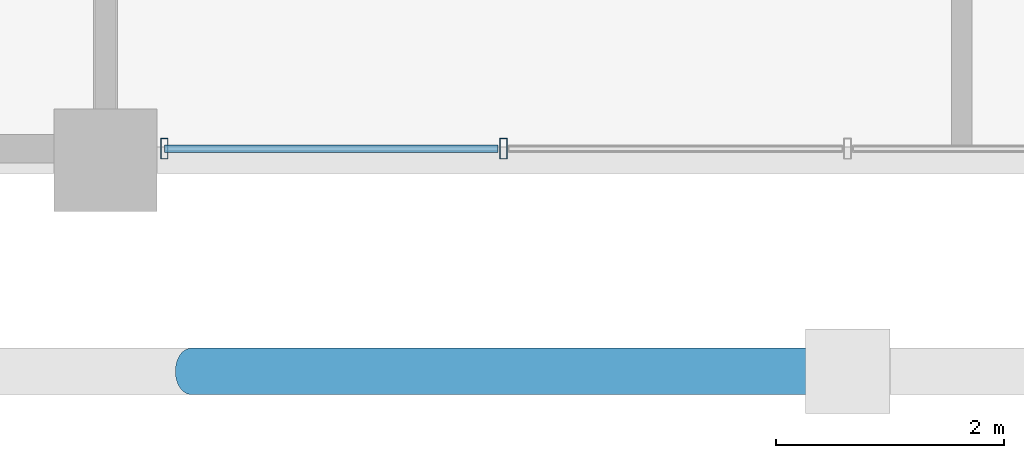
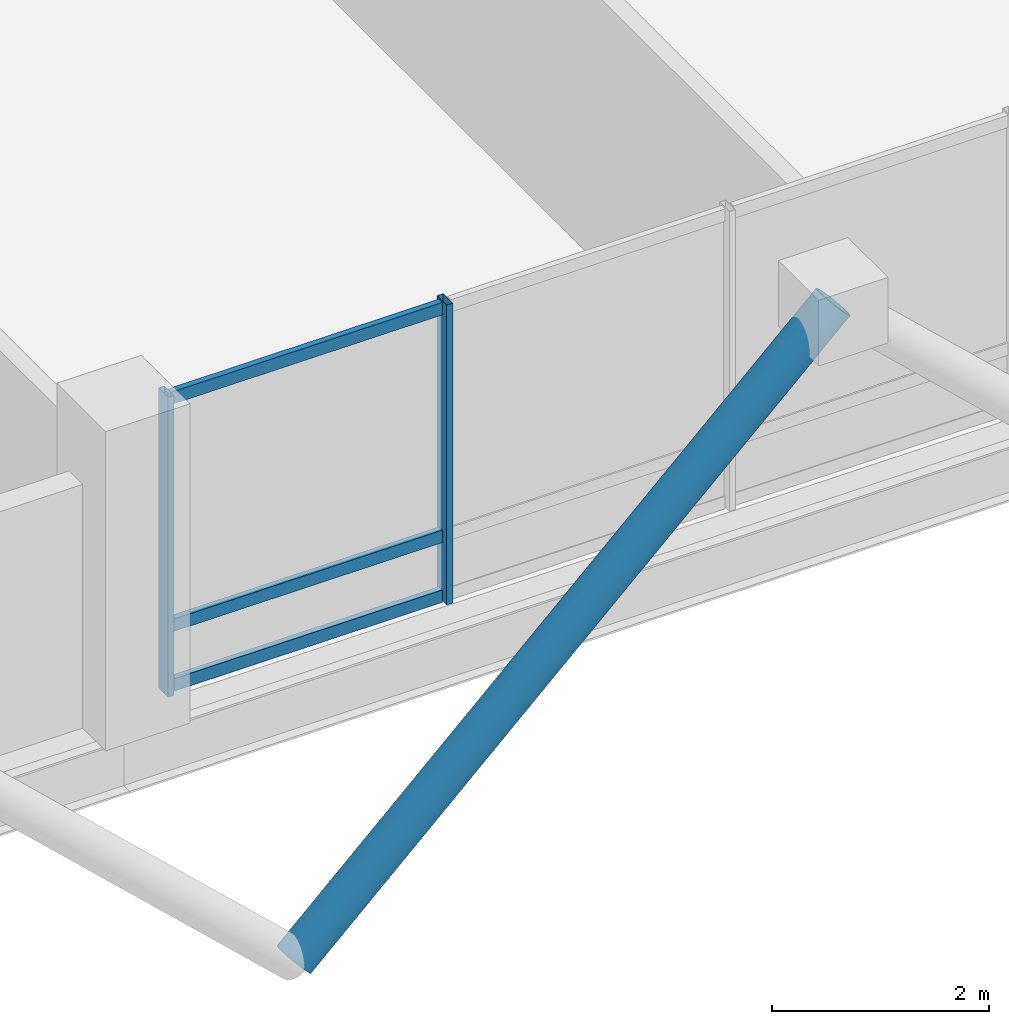
# One storey, part 2 of 22: 6 members, 1 element without a shape of its own.
"""IFC4 building model written with IfcOpenShell, lengths in metres."""

from ifc_helpers import new_model, si_unit, direction, frame, origin, origin_2d, place, context, subcontext, project, spatial, hollow_rectangle, hollow_circle, extrude, material, layer, layer_set, material_profile, profile_set, type_object, element, aggregate, save


model = new_model("IFC4")

# Units and contexts
model_context = context("Model", 3, precision=1e-05, world=origin(), true_north=direction((0.0, 1.0)))
body_context = subcontext(model_context, "Body", "Model", "MODEL_VIEW")
ifc_project = project(units=[si_unit("LENGTHUNIT", "METRE"), si_unit("AREAUNIT", "SQUARE_METRE"), si_unit("VOLUMEUNIT", "CUBIC_METRE"), si_unit("PLANEANGLEUNIT", "RADIAN"), si_unit("MASSUNIT", "GRAM", prefix="KILO")], contexts=[model_context])

# Site, building, storey
site_placement = place(None, origin())
site = spatial("IfcSite", under=ifc_project, at=site_placement, CompositionType="ELEMENT")
building_placement = place(site_placement, origin())
building = spatial("IfcBuilding", under=site, at=building_placement, Name="Barlavira Tower and Art Museum", CompositionType="ELEMENT")
storey_placement = place(building_placement, frame((0.0, 0.0, 269.10009765625)))
storey = spatial("IfcBuildingStorey", under=building, at=storey_placement, Name="L70", CompositionType="ELEMENT", Elevation=269.10009765625)

# Curtain wall, members
ifc_material_1 = material(Name="Low-iron coastal laminated glass", Category="glass")
ifc_layer = layer(ifc_material_1, 0.2099609375, Name="Low-iron coastal laminated glass")
ifc_layer_set = layer_set([ifc_layer], Name="Low-iron coastal laminated glass")
curtain_wall_type = type_object("IfcCurtainWallType", Name="Pale-Metal Unitised Curtain Wall Zone 4", PredefinedType="NOTDEFINED", material=ifc_layer_set)
curtain_wall_placement = place(storey_placement, origin())
curtain_wall = element("IfcCurtainWall", 1, at=curtain_wall_placement, inside=storey, type_object=curtain_wall_type, Name="L70 Curtain Wall CW4-L70-S-B2", PredefinedType="NOTDEFINED")
ifc_material_2 = material(Name="Pale anodised aluminium", Category="aluminium")
ifc_material_profile_1 = material_profile(ifc_material_2, hollow_rectangle(XDim=0.06494140625, YDim=0.179931640625, WallThickness=0.00390625, at=origin_2d()), Name="ALU-MULL 65x180x4")
ifc_profile_set_1 = profile_set([ifc_material_profile_1], Name="Pale anodised aluminium")
member_type_1 = type_object("IfcMemberType", Name="Curtain Wall Pale-Metal Mullion 65x180", PredefinedType="MULLION", material=ifc_profile_set_1)
member_1_placement = place(storey_placement, frame((-5.985107421875, -19.89990234375, 0.0), z_axis=(0.0, 0.0, 1.0), x_axis=(1.0, 0.0, 0.0)))
member_1 = element("IfcMember", 2, at=member_1_placement, type_object=member_type_1, Name="CW4-L70-S-B2 Mullion 0", PredefinedType="MULLION", context=body_context, shape_type="SweptSolid", body=[
    extrude(hollow_rectangle(XDim=0.06494140625, YDim=0.179931640625, WallThickness=0.00390625, at=origin_2d()), origin(), (0.0, 0.0, 1.0), 3.3798828125),
])
member_2_placement = place(storey_placement, frame((-3.014892578125, -19.89990234375, 0.0), z_axis=(0.0, 0.0, 1.0), x_axis=(1.0, 0.0, 0.0)))
member_2 = element("IfcMember", 3, at=member_2_placement, type_object=member_type_1, Name="CW4-L70-S-B2 Mullion 1", PredefinedType="MULLION", context=body_context, shape_type="SweptSolid", body=[
    extrude(hollow_rectangle(XDim=0.06494140625, YDim=0.179931640625, WallThickness=0.00390625, at=origin_2d()), origin(), (0.0, 0.0, 1.0), 3.3798828125),
])
ifc_material_profile_2 = material_profile(ifc_material_2, hollow_rectangle(XDim=0.06494140625, YDim=0.139892578125, WallThickness=0.00390625, at=origin_2d()), Name="ALU-TRAN 65x140x4")
ifc_profile_set_2 = profile_set([ifc_material_profile_2], Name="Pale anodised aluminium")
member_type_2 = type_object("IfcMemberType", Name="Curtain Wall Pale-Metal Transom 65x140", PredefinedType="USERDEFINED", material=ifc_profile_set_2)
member_3_placement = place(storey_placement, frame((-5.985107421875, -19.89990234375, 0.06982421875), z_axis=(1.0, 0.0, 0.0), x_axis=(0.0, 1.0, 0.0)))
member_3 = element("IfcMember", 4, at=member_3_placement, type_object=member_type_2, Name="CW4-L70-S-B2 Transom 0.1", ObjectType="TRANSOM", PredefinedType="USERDEFINED", context=body_context, shape_type="SweptSolid", body=[
    extrude(hollow_rectangle(XDim=0.06494140625, YDim=0.139892578125, WallThickness=0.00390625, at=origin_2d()), origin(), (0.0, 0.0, 1.0), 2.925048828125),
])
member_4_placement = place(storey_placement, frame((-5.985107421875, -19.89990234375, 0.743896484375), z_axis=(1.0, 0.0, 0.0), x_axis=(0.0, 1.0, 0.0)))
member_4 = element("IfcMember", 5, at=member_4_placement, type_object=member_type_2, Name="CW4-L70-S-B2 Transom 0.2", ObjectType="TRANSOM", PredefinedType="USERDEFINED", context=body_context, shape_type="SweptSolid", body=[
    extrude(hollow_rectangle(XDim=0.06494140625, YDim=0.139892578125, WallThickness=0.00390625, at=origin_2d()), origin(), (0.0, 0.0, 1.0), 2.925048828125),
])
member_5_placement = place(storey_placement, frame((-5.985107421875, -19.89990234375, 3.309814453125), z_axis=(1.0, 0.0, 0.0), x_axis=(0.0, 1.0, 0.0)))
member_5 = element("IfcMember", 6, at=member_5_placement, type_object=member_type_2, Name="CW4-L70-S-B2 Transom 0.3", ObjectType="TRANSOM", PredefinedType="USERDEFINED", context=body_context, shape_type="SweptSolid", body=[
    extrude(hollow_rectangle(XDim=0.06494140625, YDim=0.139892578125, WallThickness=0.00390625, at=origin_2d()), origin(), (0.0, 0.0, 1.0), 2.925048828125),
])
aggregate(curtain_wall, [member_1, member_2, member_3, member_4, member_5])

# Member
ifc_material_3 = material(Name="Steel S355", Category="steel")
ifc_material_profile_3 = material_profile(ifc_material_3, hollow_circle(Radius=0.203125, WallThickness=0.01611328125, at=origin_2d()), Name="CHS 406.4x16.0")
ifc_profile_set_3 = profile_set([ifc_material_profile_3], Name="Steel S355")
member_type_3 = type_object("IfcMemberType", Name="Pale-Metal Exoskeleton Diagrid Tube CHS 406x16 Steel S355", PredefinedType="BRACE", material=ifc_profile_set_3)
member_6_placement = place(storey_placement, frame((-5.75, -21.85009765625, -1.920166015625), z_axis=(0.728934650808, 0.0, 0.684583285548), x_axis=(0.0, 1.0, 0.0)))
element("IfcMember", 7, at=member_6_placement, inside=storey, type_object=member_type_3, Name="L70 Exoskeleton Diagrid Tube S", PredefinedType="BRACE", context=body_context, shape_type="SweptSolid", body=[
    extrude(hollow_circle(Radius=0.203125, WallThickness=0.01611328125, at=origin_2d()), origin(), (0.0, 0.0, 1.0), 7.88818359375),
])

save(model, "model.ifc")
